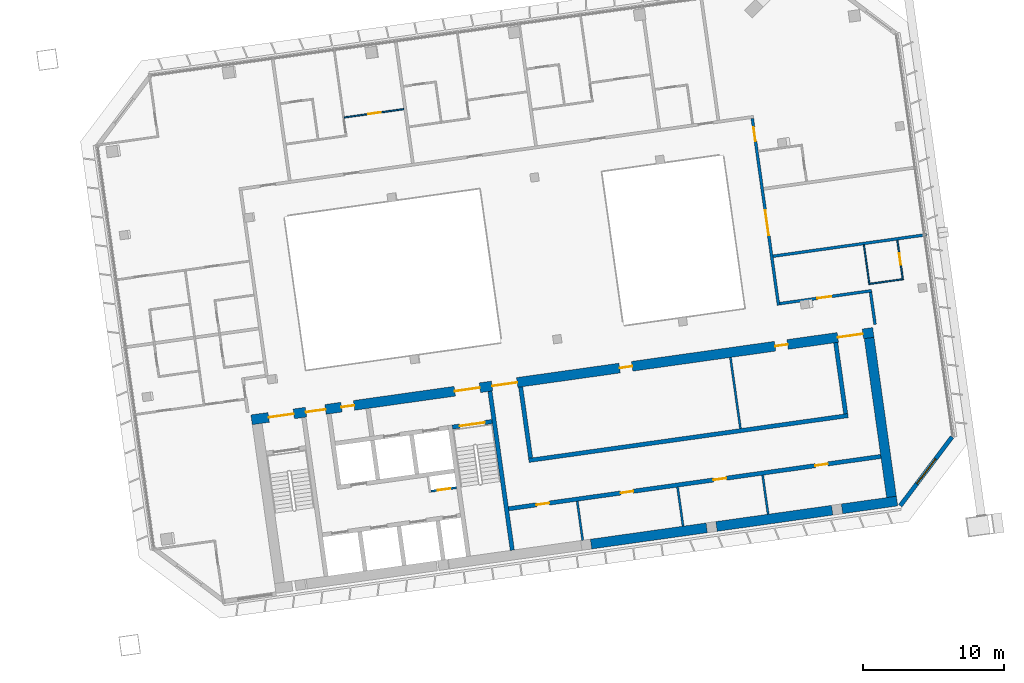
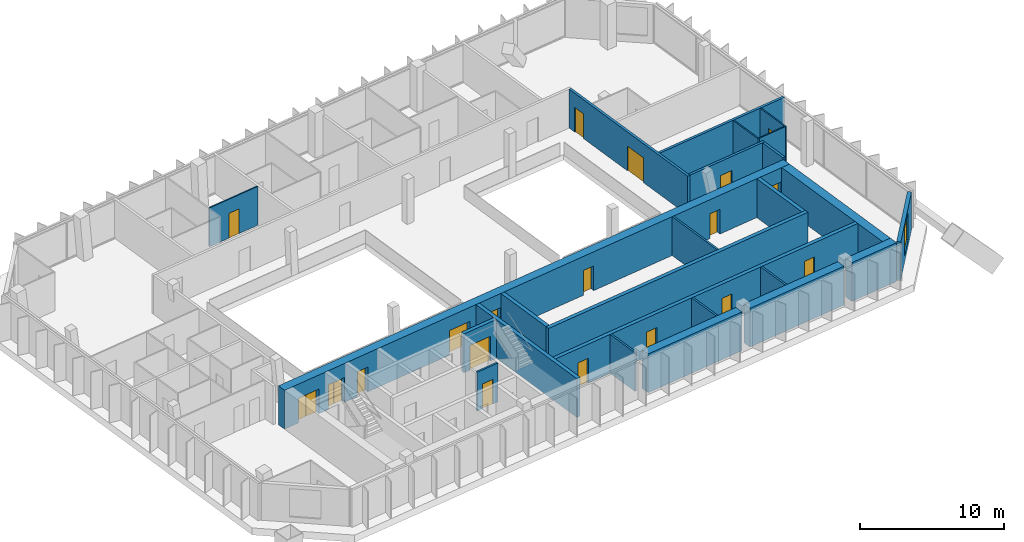
# One storey, part 21 of 29: 25 walls, 19 doors, 1 window, 20 openings.
"""IFC4 building model written with IfcOpenShell, lengths in metres."""

from ifc_helpers import new_model, si_unit, direction, frame, frame_2d, origin, place, context, subcontext, project, spatial, rectangle, extrude, material, layer, layer_set, type_object, element, fill, save


model = new_model("IFC4")

# Units and contexts
model_context = context("Model", 3, precision=1e-05, world=origin(), true_north=direction((0.0, 1.0)))
body_context = subcontext(model_context, "Body", "Model", "MODEL_VIEW")
ifc_project = project(units=[si_unit("LENGTHUNIT", "METRE"), si_unit("AREAUNIT", "SQUARE_METRE"), si_unit("VOLUMEUNIT", "CUBIC_METRE"), si_unit("PLANEANGLEUNIT", "RADIAN"), si_unit("MASSUNIT", "GRAM", prefix="KILO")], contexts=[model_context])

# Site, building, storey
site_placement = place(None, origin())
site = spatial("IfcSite", under=ifc_project, at=site_placement, CompositionType="ELEMENT")
building_placement = place(site_placement, origin())
building = spatial("IfcBuilding", under=site, at=building_placement, Name="Mirante Cascada Hotel Towers", CompositionType="ELEMENT")
storey_placement = place(building_placement, frame((0.0, 0.0, 206.8)))
storey = spatial("IfcBuildingStorey", under=building, at=storey_placement, Name="L49", CompositionType="ELEMENT", Elevation=206.8)

# Wall, opening, door
ifc_material_1 = material(Name="Fire-rated plasterboard on metal studs")
ifc_layer_1 = layer(ifc_material_1, 0.2)
ifc_layer_set_1 = layer_set([ifc_layer_1], Name="Compartment wall 200 EI 120")
wall_type_1 = type_object("IfcWallType", Name="Compartment wall 200 EI 120", PredefinedType="PARTITIONING", material=ifc_layer_set_1)
wall_1_placement = place(storey_placement, frame((73.0547, 0.6175, 0.0), z_axis=(0.0, 0.0, 1.0), x_axis=(0.990267, 0.139181, 0.0)))
wall_1 = element("IfcWall", 1, at=wall_1_placement, inside=storey, type_object=wall_type_1, Name="Wall 2-L49-04", PredefinedType="PARTITIONING", context=body_context, shape_type="SweptSolid", body=[
    extrude(rectangle(XDim=6.6, YDim=0.2, at=frame_2d((3.3, 0.0))), origin(), (0.0, 0.0, 1.0), 3.3),
])
opening_1_placement = place(wall_1_placement, frame((2.7, 0.0, 0.0)))
opening_1 = element("IfcOpeningElement", 2, at=opening_1_placement, cuts=wall_1, Name="Opening D2-L49-04", PredefinedType="OPENING", context=body_context, shape_type="SweptSolid", body=[
    extrude(rectangle(XDim=1.0, YDim=2.1, at=frame_2d((0.5, 1.05))), frame((0.0, 0.1, 0.0), z_axis=(0.0, -1.0, 0.0), x_axis=(1.0, 0.0, 0.0)), (0.0, 0.0, 1.0), 0.2),
])
ifc_material_2 = material(Name="Fire-rated timber door leaf", Category="wood")
door_type_1 = type_object("IfcDoorType", Name="Entrance door DG1 1000x2100 EI 60", OperationType="SINGLE_SWING_LEFT", PredefinedType="DOOR", material=ifc_material_2)
door_1_placement = place(opening_1_placement, frame((1.0, 0.0, 0.0), z_axis=(0.0, 0.0, 1.0), x_axis=(-1.0, 0.0, 0.0)))
door_1 = element("IfcDoor", 3, at=door_1_placement, inside=storey, type_object=door_type_1, Name="Door D2-L49-04", OperationType="SINGLE_SWING_RIGHT", OverallHeight=2.1, OverallWidth=1.0, PredefinedType="DOOR", context=body_context, shape_type="SweptSolid", body=[
    extrude(rectangle(XDim=1.0, YDim=2.1, at=frame_2d((0.5, 1.05))), frame((0.0, 0.025, 0.0), z_axis=(0.0, -1.0, 0.0), x_axis=(1.0, 0.0, 0.0)), (0.0, 0.0, 1.0), 0.05),
])
fill(opening_1, door_1)

# Wall
wall_2_placement = place(storey_placement, frame((83.4745, 5.5153, 0.0), z_axis=(0.0, 0.0, 1.0), x_axis=(-0.9902682, -0.1391721, 0.0)))
element("IfcWall", 4, at=wall_2_placement, inside=storey, type_object=wall_type_1, Name="Wall 2-L49-09", PredefinedType="PARTITIONING", context=body_context, shape_type="SweptSolid", body=[
    extrude(rectangle(XDim=11.0001, YDim=0.2, at=frame_2d((5.5, 0.0))), origin(), (0.0, 0.0, 1.0), 3.3),
])

# Wall, openings, doors
wall_3_placement = place(storey_placement, frame((72.9696, 0.5046, 0.0), z_axis=(0.0, 0.0, 1.0), x_axis=(-0.1391716, 0.9902683, 0.0)))
wall_3 = element("IfcWall", 5, at=wall_3_placement, inside=storey, type_object=wall_type_1, Name="Wall 2-L49-46", PredefinedType="PARTITIONING", context=body_context, shape_type="SweptSolid", body=[
    extrude(rectangle(XDim=13.4, YDim=0.2, at=frame_2d((6.7, 0.0))), origin(), (0.0, 0.0, 1.0), 3.3),
])
opening_2_placement = place(wall_3_placement, frame((5.0167, 0.0, 0.0)))
opening_2 = element("IfcOpeningElement", 6, at=opening_2_placement, cuts=wall_3, Name="Opening D2-L49-29", PredefinedType="OPENING", context=body_context, shape_type="SweptSolid", body=[
    extrude(rectangle(XDim=1.8, YDim=2.1, at=frame_2d((0.9, 1.05))), frame((0.0, 0.1, 0.0), z_axis=(0.0, -1.0, 0.0), x_axis=(1.0, 0.0, 0.0)), (0.0, 0.0, 1.0), 0.2),
])
opening_3_placement = place(wall_3_placement, frame((11.7667, 0.0, 0.0)))
opening_3 = element("IfcOpeningElement", 7, at=opening_3_placement, cuts=wall_3, Name="Opening D2-L49-30", PredefinedType="OPENING", context=body_context, shape_type="SweptSolid", body=[
    extrude(rectangle(XDim=1.0, YDim=2.1, at=frame_2d((0.5, 1.05))), frame((0.0, 0.1, 0.0), z_axis=(0.0, -1.0, 0.0), x_axis=(1.0, 0.0, 0.0)), (0.0, 0.0, 1.0), 0.2),
])
door_2_placement = place(opening_3_placement, frame((1.0, 0.0, 0.0), z_axis=(0.0, 0.0, 1.0), x_axis=(-1.0, 0.0, 0.0)))
door_2 = element("IfcDoor", 8, at=door_2_placement, inside=storey, type_object=door_type_1, Name="Door D2-L49-30", OperationType="SINGLE_SWING_RIGHT", OverallHeight=2.1, OverallWidth=1.0, PredefinedType="DOOR", context=body_context, shape_type="SweptSolid", body=[
    extrude(rectangle(XDim=1.0, YDim=2.1, at=frame_2d((0.5, 1.05))), frame((0.0, 0.025, 0.0), z_axis=(0.0, -1.0, 0.0), x_axis=(1.0, 0.0, 0.0)), (0.0, 0.0, 1.0), 0.05),
])
fill(opening_3, door_2)
ifc_material_3 = material(Name="Fire-rated timber door leaf", Category="wood")
door_type_2 = type_object("IfcDoorType", Name="Suite double door DG2 1800x2100 EI 60", OperationType="DOUBLE_DOOR_SINGLE_SWING", PredefinedType="DOOR", material=ifc_material_3)
door_3_placement = place(opening_2_placement, origin())
door_3 = element("IfcDoor", 9, at=door_3_placement, inside=storey, type_object=door_type_2, Name="Door D2-L49-29", OperationType="DOUBLE_DOOR_SINGLE_SWING", OverallHeight=2.1, OverallWidth=1.8, PredefinedType="DOOR", context=body_context, shape_type="SweptSolid", body=[
    extrude(rectangle(XDim=0.895, YDim=2.1, at=frame_2d((0.4475, 1.05))), frame((0.0, 0.025, 0.0), z_axis=(0.0, -1.0, 0.0), x_axis=(1.0, 0.0, 0.0)), (0.0, 0.0, 1.0), 0.05),
    extrude(rectangle(XDim=0.895, YDim=2.1, at=frame_2d((1.3525, 1.05))), frame((0.0, 0.025, 0.0), z_axis=(0.0, -1.0, 0.0), x_axis=(1.0, 0.0, 0.0)), (0.0, 0.0, 1.0), 0.05),
])
fill(opening_2, door_3)

# Wall
wall_4_placement = place(storey_placement, frame((79.8255, -0.8545, 0.0), z_axis=(0.0, 0.0, 1.0), x_axis=(-0.1391749, 0.9902678, 0.0)))
element("IfcWall", 10, at=wall_4_placement, inside=storey, type_object=wall_type_1, Name="Wall 2-L49-48", PredefinedType="PARTITIONING", context=body_context, shape_type="SweptSolid", body=[
    extrude(rectangle(XDim=2.3, YDim=0.2, at=frame_2d((1.15, 0.0))), origin(), (0.0, 0.0, 1.0), 3.3),
])

# Wall, opening, door
ifc_material_4 = material(Name="Masonry block", Category="masonry")
ifc_layer_2 = layer(ifc_material_4, 0.15)
ifc_layer_set_2 = layer_set([ifc_layer_2], Name="Core room partition 150 block EI 30")
wall_type_2 = type_object("IfcWallType", Name="Core room partition 150 block EI 30", PredefinedType="PARTITIONING", material=ifc_layer_set_2)
wall_5_placement = place(storey_placement, frame((48.2933, -12.7083, 0.0), z_axis=(0.0, 0.0, 1.0), x_axis=(0.990268, 0.1391734, 0.0)))
wall_5 = element("IfcWall", 11, at=wall_5_placement, inside=storey, type_object=wall_type_2, Name="Core wall partition T2 L49 3", PredefinedType="PARTITIONING", context=body_context, shape_type="SweptSolid", body=[
    extrude(rectangle(XDim=1.8251, YDim=0.15, at=frame_2d((0.9126, 0.0))), origin(), (0.0, 0.0, 1.0), 3.3),
])
opening_4_placement = place(wall_5_placement, frame((0.4625, 0.0, 0.0)))
opening_4 = element("IfcOpeningElement", 12, at=opening_4_placement, cuts=wall_5, Name="Opening D2-49-C15", PredefinedType="OPENING", context=body_context, shape_type="SweptSolid", body=[
    extrude(rectangle(XDim=0.9, YDim=2.1, at=frame_2d((0.45, 1.05))), frame((0.0, 0.075, 0.0), z_axis=(0.0, -1.0, 0.0), x_axis=(1.0, 0.0, 0.0)), (0.0, 0.0, 1.0), 0.15),
])
ifc_material_5 = material(Name="Hollow metal fire door leaf")
door_type_3 = type_object("IfcDoorType", Name="Fire door 900x2100 FD60", OperationType="NOTDEFINED", PredefinedType="DOOR", material=ifc_material_5)
door_4_placement = place(opening_4_placement, frame((0.9, 0.0, 0.0), z_axis=(0.0, 0.0, 1.0), x_axis=(-1.0, 0.0, 0.0)))
door_4 = element("IfcDoor", 13, at=door_4_placement, inside=storey, type_object=door_type_3, Name="Riser door T2 L49 15", OperationType="SINGLE_SWING_RIGHT", OverallHeight=2.1, OverallWidth=0.9, PredefinedType="DOOR", context=body_context, shape_type="SweptSolid", body=[
    extrude(rectangle(XDim=0.9, YDim=2.1, at=frame_2d((0.45, 1.05))), frame((0.0, 0.025, 0.0), z_axis=(0.0, -1.0, 0.0), x_axis=(1.0, 0.0, 0.0)), (0.0, 0.0, 1.0), 0.05),
])
fill(opening_4, door_4)

# Walls
for number, where, z_axis, x_axis, name in (
    (14, (59.0582, -16.194, 0.0), (0.0, 0.0, 1.0), (-0.139181, 0.990267, 0.0), "Core wall partition T2 L49 5"),
    (15, (66.1881, -15.192, 0.0), (0.0, 0.0, 1.0), (-0.139141, 0.9902726, 0.0), "Core wall partition T2 L49 6"),
    (16, (72.2288, -14.343, 0.0), (0.0, 0.0, 1.0), (-0.139181, 0.990267, 0.0), "Core wall partition T2 L49 7"),
):
    element("IfcWall", number, at=place(storey_placement, frame(where, z_axis=z_axis, x_axis=x_axis)), inside=storey, type_object=wall_type_2, Name=name, PredefinedType="PARTITIONING", context=body_context, shape_type="SweptSolid", body=[
        extrude(rectangle(XDim=2.8, YDim=0.15, at=frame_2d((1.4, 0.0))), origin(), (0.0, 0.0, 1.0), 3.3),
    ])
wall_6_placement = place(storey_placement, frame((70.2627, -8.2574, 0.0), z_axis=(0.0, 0.0, 1.0), x_axis=(-0.1391755, 0.9902677, 0.0)))
element("IfcWall", 17, at=wall_6_placement, inside=storey, type_object=wall_type_2, Name="Core wall partition T2 L49 8", PredefinedType="PARTITIONING", context=body_context, shape_type="SweptSolid", body=[
    extrude(rectangle(XDim=5.1, YDim=0.15, at=frame_2d((2.55, 0.0))), origin(), (0.0, 0.0, 1.0), 3.3),
])

# Wall, openings, doors
ifc_material_6 = material(Name="Masonry block", Category="masonry")
ifc_layer_3 = layer(ifc_material_6, 0.3)
ifc_layer_set_3 = layer_set([ifc_layer_3], Name="Core wall 300 block EI 120")
wall_type_3 = type_object("IfcWallType", Name="Core wall 300 block EI 120", PredefinedType="PARTITIONING", material=ifc_layer_set_3)
wall_7_placement = place(storey_placement, frame((53.7953, -13.9547, 0.0), z_axis=(0.0, 0.0, 1.0), x_axis=(0.9902677, 0.1391758, 0.0)))
wall_7 = element("IfcWall", 18, at=wall_7_placement, inside=storey, type_object=wall_type_3, Name="Core wall partition T2 L49 4", PredefinedType="PARTITIONING", context=body_context, shape_type="SweptSolid", body=[
    extrude(rectangle(XDim=26.7001, YDim=0.3, at=frame_2d((13.35, 0.0))), origin(), (0.0, 0.0, 1.0), 3.3),
])
opening_5_placement = place(wall_7_placement, frame((2.0, 0.0, 0.0)))
opening_5 = element("IfcOpeningElement", 19, at=opening_5_placement, cuts=wall_7, Name="Opening D2-49-C17", PredefinedType="OPENING", context=body_context, shape_type="SweptSolid", body=[
    extrude(rectangle(XDim=0.9, YDim=2.1, at=frame_2d((0.45, 1.05))), frame((0.0, 0.15, 0.0), z_axis=(0.0, -1.0, 0.0), x_axis=(1.0, 0.0, 0.0)), (0.0, 0.0, 1.0), 0.3),
])
opening_6_placement = place(wall_7_placement, frame((8.05, 0.0, 0.0)))
opening_6 = element("IfcOpeningElement", 20, at=opening_6_placement, cuts=wall_7, Name="Opening D2-49-C18", PredefinedType="OPENING", context=body_context, shape_type="SweptSolid", body=[
    extrude(rectangle(XDim=0.9, YDim=2.1, at=frame_2d((0.45, 1.05))), frame((0.0, 0.15, 0.0), z_axis=(0.0, -1.0, 0.0), x_axis=(1.0, 0.0, 0.0)), (0.0, 0.0, 1.0), 0.3),
])
opening_7_placement = place(wall_7_placement, frame((14.7, 0.0, 0.0)))
opening_7 = element("IfcOpeningElement", 21, at=opening_7_placement, cuts=wall_7, Name="Opening D2-49-C19", PredefinedType="OPENING", context=body_context, shape_type="SweptSolid", body=[
    extrude(rectangle(XDim=0.9, YDim=2.1, at=frame_2d((0.45, 1.05))), frame((0.0, 0.15, 0.0), z_axis=(0.0, -1.0, 0.0), x_axis=(1.0, 0.0, 0.0)), (0.0, 0.0, 1.0), 0.3),
])
opening_8_placement = place(wall_7_placement, frame((22.0, 0.0, 0.0)))
opening_8 = element("IfcOpeningElement", 22, at=opening_8_placement, cuts=wall_7, Name="Opening D2-49-C20", PredefinedType="OPENING", context=body_context, shape_type="SweptSolid", body=[
    extrude(rectangle(XDim=0.9, YDim=2.1, at=frame_2d((0.45, 1.05))), frame((0.0, 0.15, 0.0), z_axis=(0.0, -1.0, 0.0), x_axis=(1.0, 0.0, 0.0)), (0.0, 0.0, 1.0), 0.3),
])
door_5_placement = place(opening_5_placement, frame((0.9, 0.0, 0.0), z_axis=(0.0, 0.0, 1.0), x_axis=(-1.0, 0.0, 0.0)))
door_5 = element("IfcDoor", 23, at=door_5_placement, inside=storey, type_object=door_type_3, Name="Room door T2 L49 17", OperationType="SINGLE_SWING_LEFT", OverallHeight=2.1, OverallWidth=0.9, PredefinedType="DOOR", context=body_context, shape_type="SweptSolid", body=[
    extrude(rectangle(XDim=0.9, YDim=2.1, at=frame_2d((0.45, 1.05))), frame((0.0, 0.025, 0.0), z_axis=(0.0, -1.0, 0.0), x_axis=(1.0, 0.0, 0.0)), (0.0, 0.0, 1.0), 0.05),
])
fill(opening_5, door_5)
door_6_placement = place(opening_6_placement, frame((0.9, 0.0, 0.0), z_axis=(0.0, 0.0, 1.0), x_axis=(-1.0, 0.0, 0.0)))
door_6 = element("IfcDoor", 24, at=door_6_placement, inside=storey, type_object=door_type_3, Name="Room door T2 L49 18", OperationType="SINGLE_SWING_LEFT", OverallHeight=2.1, OverallWidth=0.9, PredefinedType="DOOR", context=body_context, shape_type="SweptSolid", body=[
    extrude(rectangle(XDim=0.9, YDim=2.1, at=frame_2d((0.45, 1.05))), frame((0.0, 0.025, 0.0), z_axis=(0.0, -1.0, 0.0), x_axis=(1.0, 0.0, 0.0)), (0.0, 0.0, 1.0), 0.05),
])
fill(opening_6, door_6)
door_7_placement = place(opening_7_placement, frame((0.9, 0.0, 0.0), z_axis=(0.0, 0.0, 1.0), x_axis=(-1.0, 0.0, 0.0)))
door_7 = element("IfcDoor", 25, at=door_7_placement, inside=storey, type_object=door_type_3, Name="Room door T2 L49 19", OperationType="SINGLE_SWING_RIGHT", OverallHeight=2.1, OverallWidth=0.9, PredefinedType="DOOR", context=body_context, shape_type="SweptSolid", body=[
    extrude(rectangle(XDim=0.9, YDim=2.1, at=frame_2d((0.45, 1.05))), frame((0.0, 0.025, 0.0), z_axis=(0.0, -1.0, 0.0), x_axis=(1.0, 0.0, 0.0)), (0.0, 0.0, 1.0), 0.05),
])
fill(opening_7, door_7)
door_8_placement = place(opening_8_placement, frame((0.9, 0.0, 0.0), z_axis=(0.0, 0.0, 1.0), x_axis=(-1.0, 0.0, 0.0)))
door_8 = element("IfcDoor", 26, at=door_8_placement, inside=storey, type_object=door_type_3, Name="Room door T2 L49 20", OperationType="SINGLE_SWING_RIGHT", OverallHeight=2.1, OverallWidth=0.9, PredefinedType="DOOR", context=body_context, shape_type="SweptSolid", body=[
    extrude(rectangle(XDim=0.9, YDim=2.1, at=frame_2d((0.45, 1.05))), frame((0.0, 0.025, 0.0), z_axis=(0.0, -1.0, 0.0), x_axis=(1.0, 0.0, 0.0)), (0.0, 0.0, 1.0), 0.05),
])
fill(opening_8, door_8)

# Wall
ifc_material_7 = material(Name="Plasterboard on metal studs")
ifc_layer_4 = layer(ifc_material_7, 0.1)
ifc_layer_set_4 = layer_set([ifc_layer_4], Name="Partition 100")
wall_type_4 = type_object("IfcWallType", Name="Partition 100", PredefinedType="PARTITIONING", material=ifc_layer_set_4)
wall_8_placement = place(storey_placement, frame((81.749, 2.3443, 0.0), z_axis=(0.0, 0.0, 1.0), x_axis=(-0.9902678, -0.1391749, 0.0)))
element("IfcWall", 27, at=wall_8_placement, inside=storey, type_object=wall_type_4, Name="Wall 2-L49-05", PredefinedType="PARTITIONING", context=body_context, shape_type="SweptSolid", body=[
    extrude(rectangle(XDim=2.3, YDim=0.1, at=frame_2d((1.15, 0.0))), origin(), (0.0, 0.0, 1.0), 3.3),
])

# Wall, opening, door
wall_9_placement = place(storey_placement, frame((42.1274, 13.842, 0.0), z_axis=(0.0, 0.0, 1.0), x_axis=(0.9902699, 0.1391604, 0.0)))
wall_9 = element("IfcWall", 28, at=wall_9_placement, inside=storey, type_object=wall_type_4, Name="Wall 2-L49-20", PredefinedType="PARTITIONING", context=body_context, shape_type="SweptSolid", body=[
    extrude(rectangle(XDim=4.267, YDim=0.1, at=frame_2d((2.1335, 0.0))), origin(), (0.0, 0.0, 1.0), 3.3),
])
opening_9_placement = place(wall_9_placement, frame((1.7085, 0.0, 0.0)))
opening_9 = element("IfcOpeningElement", 29, at=opening_9_placement, cuts=wall_9, Name="Opening D2-L49-13", PredefinedType="OPENING", context=body_context, shape_type="SweptSolid", body=[
    extrude(rectangle(XDim=0.9, YDim=2.1, at=frame_2d((0.45, 1.05))), frame((0.0, 0.05, 0.0), z_axis=(0.0, -1.0, 0.0), x_axis=(1.0, 0.0, 0.0)), (0.0, 0.0, 1.0), 0.1),
])
ifc_material_8 = material(Name="Timber door leaf", Category="wood")
door_type_4 = type_object("IfcDoorType", Name="Room door DG3 900x2100", OperationType="SINGLE_SWING_LEFT", PredefinedType="DOOR", material=ifc_material_8)
door_9_placement = place(opening_9_placement, frame((0.9, 0.0, 0.0), z_axis=(0.0, 0.0, 1.0), x_axis=(-1.0, 0.0, 0.0)))
door_9 = element("IfcDoor", 30, at=door_9_placement, inside=storey, type_object=door_type_4, Name="Door D2-L49-13", OperationType="SINGLE_SWING_RIGHT", OverallHeight=2.1, OverallWidth=0.9, PredefinedType="DOOR", context=body_context, shape_type="SweptSolid", body=[
    extrude(rectangle(XDim=0.9, YDim=2.1, at=frame_2d((0.45, 1.05))), frame((0.0, 0.025, 0.0), z_axis=(0.0, -1.0, 0.0), x_axis=(1.0, 0.0, 0.0)), (0.0, 0.0, 1.0), 0.05),
])
fill(opening_9, door_9)

# Wall
wall_10_placement = place(storey_placement, frame((79.0322, 4.79, 0.0), z_axis=(0.0, 0.0, 1.0), x_axis=(0.1391613, -0.9902697, 0.0)))
element("IfcWall", 31, at=wall_10_placement, inside=storey, type_object=wall_type_4, Name="Wall 2-L49-49", PredefinedType="PARTITIONING", context=body_context, shape_type="SweptSolid", body=[
    extrude(rectangle(XDim=2.8499, YDim=0.1, at=frame_2d((1.425, 0.0))), origin(), (0.0, 0.0, 1.0), 3.3),
])

# Wall, opening, door
wall_11_placement = place(storey_placement, frame((81.8055, 2.3018, 0.0), z_axis=(0.0, 0.0, 1.0), x_axis=(-0.1391909, 0.9902656, 0.0)))
wall_11 = element("IfcWall", 32, at=wall_11_placement, inside=storey, type_object=wall_type_4, Name="Wall 2-L49-50", PredefinedType="PARTITIONING", context=body_context, shape_type="SweptSolid", body=[
    extrude(rectangle(XDim=2.85, YDim=0.1, at=frame_2d((1.425, 0.0))), origin(), (0.0, 0.0, 1.0), 3.3),
])
opening_10_placement = place(wall_11_placement, frame((1.1, 0.0, 0.0)))
opening_10 = element("IfcOpeningElement", 33, at=opening_10_placement, cuts=wall_11, Name="Opening D2-L49-32", PredefinedType="OPENING", context=body_context, shape_type="SweptSolid", body=[
    extrude(rectangle(XDim=0.8, YDim=2.1, at=frame_2d((0.4, 1.05))), frame((0.0, 0.05, 0.0), z_axis=(0.0, -1.0, 0.0), x_axis=(1.0, 0.0, 0.0)), (0.0, 0.0, 1.0), 0.1),
])
ifc_material_9 = material(Name="Timber door leaf", Category="wood")
door_type_5 = type_object("IfcDoorType", Name="Bathroom door DG4 800x2100", OperationType="SINGLE_SWING_LEFT", PredefinedType="DOOR", material=ifc_material_9)
door_10_placement = place(opening_10_placement, origin())
door_10 = element("IfcDoor", 34, at=door_10_placement, inside=storey, type_object=door_type_5, Name="Door D2-L49-32", OperationType="SINGLE_SWING_LEFT", OverallHeight=2.1, OverallWidth=0.8, PredefinedType="DOOR", context=body_context, shape_type="SweptSolid", body=[
    extrude(rectangle(XDim=0.8, YDim=2.1, at=frame_2d((0.4, 1.05))), frame((0.0, 0.025, 0.0), z_axis=(0.0, -1.0, 0.0), x_axis=(1.0, 0.0, 0.0)), (0.0, 0.0, 1.0), 0.05),
])
fill(opening_10, door_10)

# Wall, opening, window
ifc_material_10 = material(Name="Precast concrete C40/50", Category="concrete")
ifc_layer_5 = layer(ifc_material_10, 0.3)
ifc_layer_set_5 = layer_set([ifc_layer_5], Name="Precast concrete C40/50 cladding wall 300")
wall_type_5 = type_object("IfcWallType", Name="Precast concrete C40/50 cladding wall 300", PredefinedType="STANDARD", material=ifc_layer_set_5)
wall_12_placement = place(storey_placement, frame((81.6175, -13.7366, 0.0), z_axis=(0.0, 0.0, 1.0), x_axis=(0.6018141, 0.7986362, 0.0)))
wall_12 = element("IfcWall", 35, at=wall_12_placement, inside=storey, type_object=wall_type_5, Name="Corner cladding wall T2 L49 rear outer", PredefinedType="STANDARD", context=body_context, shape_type="SweptSolid", body=[
    extrude(rectangle(XDim=6.1157, YDim=0.3, at=frame_2d((3.0578, 0.0))), origin(), (0.0, 0.0, 1.0), 3.3),
])
opening_11_placement = place(wall_12_placement, frame((1.9578, 0.0, 0.6)))
opening_11 = element("IfcOpeningElement", 36, at=opening_11_placement, cuts=wall_12, Name="Opening W2-49-02", PredefinedType="OPENING", context=body_context, shape_type="SweptSolid", body=[
    extrude(rectangle(XDim=2.2, YDim=2.4, at=frame_2d((1.1, 1.2))), frame((0.0, 0.15, 0.0), z_axis=(0.0, -1.0, 0.0), x_axis=(1.0, 0.0, 0.0)), (0.0, 0.0, 1.0), 0.3),
])
ifc_material_11 = material(Name="Aluminium frame with clear double glazing", Category="aluminium")
window_type = type_object("IfcWindowType", Name="Corner suite window 2200x2400", PartitioningType="DOUBLE_PANEL_VERTICAL", PredefinedType="WINDOW", material=ifc_material_11)
window_placement = place(opening_11_placement, origin())
window = element("IfcWindow", 37, at=window_placement, inside=storey, type_object=window_type, Name="Window W2-49-02", OverallHeight=2.4, OverallWidth=2.2, PartitioningType="SINGLE_PANEL", PredefinedType="WINDOW", context=body_context, shape_type="SweptSolid", body=[
    extrude(rectangle(XDim=2.2, YDim=2.4, at=frame_2d((1.1, 1.2))), frame((0.0, 0.03, 0.0), z_axis=(0.0, -1.0, 0.0), x_axis=(1.0, 0.0, 0.0)), (0.0, 0.0, 1.0), 0.06),
])
fill(opening_11, window)

# Wall
ifc_material_12 = material(Name="Concrete C50/60", Category="concrete")
ifc_layer_6 = layer(ifc_material_12, 0.3)
ifc_layer_set_6 = layer_set([ifc_layer_6], Name="RC core wall 300 C50/60")
wall_type_6 = type_object("IfcWallType", Name="RC core wall 300 C50/60", PredefinedType="SHEAR", material=ifc_layer_set_6)
wall_13_placement = place(storey_placement, frame((54.0574, -16.8968, 0.0), z_axis=(0.0, 0.0, 1.0), x_axis=(-0.1391761, 0.9902677, 0.0)))
element("IfcWall", 38, at=wall_13_placement, inside=storey, type_object=wall_type_6, Name="Core wall T2:L49:7", PredefinedType="SHEAR", context=body_context, shape_type="SweptSolid", body=[
    extrude(rectangle(XDim=11.3999, YDim=0.3, at=frame_2d((5.7, 0.0))), origin(), (0.0, 0.0, 1.0), 3.3),
])

# Wall, opening, door
wall_14_placement = place(storey_placement, frame((49.7992, -8.1544, 0.0), z_axis=(0.0, 0.0, 1.0), x_axis=(0.9902656, 0.1391909, 0.0)))
wall_14 = element("IfcWall", 39, at=wall_14_placement, inside=storey, type_object=wall_type_6, Name="Core wall T2:L49:9", PredefinedType="SHEAR", context=body_context, shape_type="SweptSolid", body=[
    extrude(rectangle(XDim=2.85, YDim=0.3, at=frame_2d((1.425, 0.0))), origin(), (0.0, 0.0, 1.0), 3.3),
])
opening_12_placement = place(wall_14_placement, frame((0.525, 0.0, 0.0)))
opening_12 = element("IfcOpeningElement", 40, at=opening_12_placement, cuts=wall_14, Name="Opening D2-49-C09", PredefinedType="OPENING", context=body_context, shape_type="SweptSolid", body=[
    extrude(rectangle(XDim=1.8, YDim=2.1, at=frame_2d((0.9, 1.05))), frame((0.0, 0.15, 0.0), z_axis=(0.0, -1.0, 0.0), x_axis=(1.0, 0.0, 0.0)), (0.0, 0.0, 1.0), 0.3),
])
ifc_material_13 = material(Name="Hollow metal fire door leaf")
door_type_6 = type_object("IfcDoorType", Name="Double fire door 1800x2100 FD60", OperationType="DOUBLE_DOOR_SINGLE_SWING", PredefinedType="DOOR", material=ifc_material_13)
door_11_placement = place(opening_12_placement, frame((1.8, 0.0, 0.0), z_axis=(0.0, 0.0, 1.0), x_axis=(-1.0, 0.0, 0.0)))
door_11 = element("IfcDoor", 41, at=door_11_placement, inside=storey, type_object=door_type_6, Name="Stair door T2 L49 9", OperationType="DOUBLE_DOOR_SINGLE_SWING", OverallHeight=2.1, OverallWidth=1.8, PredefinedType="DOOR", context=body_context, shape_type="SweptSolid", body=[
    extrude(rectangle(XDim=0.895, YDim=2.1, at=frame_2d((0.4475, 1.05))), frame((0.0, 0.025, 0.0), z_axis=(0.0, -1.0, 0.0), x_axis=(1.0, 0.0, 0.0)), (0.0, 0.0, 1.0), 0.05),
    extrude(rectangle(XDim=0.895, YDim=2.1, at=frame_2d((1.3525, 1.05))), frame((0.0, 0.025, 0.0), z_axis=(0.0, -1.0, 0.0), x_axis=(1.0, 0.0, 0.0)), (0.0, 0.0, 1.0), 0.05),
])
fill(opening_12, door_11)

# Walls
wall_15_placement = place(storey_placement, frame((55.2315, -10.5214, 0.0), z_axis=(0.0, 0.0, 1.0), x_axis=(0.9902678, 0.1391749, 0.0)))
element("IfcWall", 42, at=wall_15_placement, inside=storey, type_object=wall_type_6, Name="Core wall T2:L49:26", PredefinedType="SHEAR", context=body_context, shape_type="SweptSolid", body=[
    extrude(rectangle(XDim=22.9, YDim=0.3, at=frame_2d((11.45, 0.0))), origin(), (0.0, 0.0, 1.0), 3.3),
])
for number, where, z_axis, x_axis, name in (
    (43, (55.3592, -10.352, 0.0), (0.0, 0.0, 1.0), (-0.1391755, 0.9902677, 0.0), "Core wall T2:L49:27"),
    (44, (77.7392, -7.2067, 0.0), (0.0, 0.0, 1.0), (-0.1391755, 0.9902677, 0.0), "Core wall T2:L49:28"),
):
    element("IfcWall", number, at=place(storey_placement, frame(where, z_axis=z_axis, x_axis=x_axis)), inside=storey, type_object=wall_type_6, Name=name, PredefinedType="SHEAR", context=body_context, shape_type="SweptSolid", body=[
        extrude(rectangle(XDim=5.1, YDim=0.3, at=frame_2d((2.55, 0.0))), origin(), (0.0, 0.0, 1.0), 3.3),
    ])
ifc_material_14 = material(Name="Concrete C50/60", Category="concrete")
ifc_layer_7 = layer(ifc_material_14, 0.7)
ifc_layer_set_7 = layer_set([ifc_layer_7], Name="RC core wall 700 C50/60")
wall_type_7 = type_object("IfcWallType", Name="RC core wall 700 C50/60", PredefinedType="SHEAR", material=ifc_layer_set_7)
for number, where, z_axis, x_axis, name in (
    (45, (59.6516, -16.4641, 0.0), (0.0, 0.0, 1.0), (0.990267, 0.139181, 0.0), "Core wall T2:L49:1.4"),
    (46, (68.564, -15.2115, 0.0), (0.0, 0.0, 1.0), (0.9902686, 0.1391692, 0.0), "Core wall T2:L49:1.5"),
):
    element("IfcWall", number, at=place(storey_placement, frame(where, z_axis=z_axis, x_axis=x_axis)), inside=storey, type_object=wall_type_7, Name=name, PredefinedType="SHEAR", context=body_context, shape_type="SweptSolid", body=[
        extrude(rectangle(XDim=8.3, YDim=0.7, at=frame_2d((4.15, 0.0))), origin(), (0.0, 0.0, 1.0), 3.3),
    ])
wall_16_placement = place(storey_placement, frame((77.4764, -13.9589, 0.0), z_axis=(0.0, 0.0, 1.0), x_axis=(0.9902694, 0.1391633, 0.0)))
element("IfcWall", 47, at=wall_16_placement, inside=storey, type_object=wall_type_7, Name="Core wall T2:L49:1.6", PredefinedType="SHEAR", context=body_context, shape_type="SweptSolid", body=[
    extrude(rectangle(XDim=3.95, YDim=0.7, at=frame_2d((1.975, 0.0))), origin(), (0.0, 0.0, 1.0), 3.3),
])

# Wall, openings, doors
wall_17_placement = place(storey_placement, frame((35.538, -7.6341, 0.0), z_axis=(0.0, 0.0, 1.0), x_axis=(0.9902682, 0.1391725, 0.0)))
wall_17 = element("IfcWall", 48, at=wall_17_placement, inside=storey, type_object=wall_type_7, Name="Core wall T2:L49:2", PredefinedType="SHEAR", context=body_context, shape_type="SweptSolid", body=[
    extrude(rectangle(XDim=44.6, YDim=0.7, at=frame_2d((22.3, 0.0))), origin(), (0.0, 0.0, 1.0), 3.3),
])
opening_13_placement = place(wall_17_placement, frame((1.225, 0.0, 0.0)))
opening_13 = element("IfcOpeningElement", 49, at=opening_13_placement, cuts=wall_17, Name="Opening D2-49-C08", PredefinedType="OPENING", context=body_context, shape_type="SweptSolid", body=[
    extrude(rectangle(XDim=1.8, YDim=2.1, at=frame_2d((0.9, 1.05))), frame((0.0, 0.35, 0.0), z_axis=(0.0, -1.0, 0.0), x_axis=(1.0, 0.0, 0.0)), (0.0, 0.0, 1.0), 0.7),
])
opening_14_placement = place(wall_17_placement, frame((14.575, 0.0, 0.0)))
opening_14 = element("IfcOpeningElement", 50, at=opening_14_placement, cuts=wall_17, Name="Opening D2-49-C10", PredefinedType="OPENING", context=body_context, shape_type="SweptSolid", body=[
    extrude(rectangle(XDim=1.8, YDim=2.1, at=frame_2d((0.9, 1.05))), frame((0.0, 0.35, 0.0), z_axis=(0.0, -1.0, 0.0), x_axis=(1.0, 0.0, 0.0)), (0.0, 0.0, 1.0), 0.7),
])
opening_15_placement = place(wall_17_placement, frame((3.9, 0.0, 0.0)))
opening_15 = element("IfcOpeningElement", 51, at=opening_15_placement, cuts=wall_17, Name="Opening D2-49-C11", PredefinedType="OPENING", context=body_context, shape_type="SweptSolid", body=[
    extrude(rectangle(XDim=1.4, YDim=2.1, at=frame_2d((0.7, 1.05))), frame((0.0, 0.35, 0.0), z_axis=(0.0, -1.0, 0.0), x_axis=(1.0, 0.0, 0.0)), (0.0, 0.0, 1.0), 0.7),
])
opening_16_placement = place(wall_17_placement, frame((17.25, 0.0, 0.0)))
opening_16 = element("IfcOpeningElement", 52, at=opening_16_placement, cuts=wall_17, Name="Opening D2-49-C12", PredefinedType="OPENING", context=body_context, shape_type="SweptSolid", body=[
    extrude(rectangle(XDim=1.8, YDim=2.1, at=frame_2d((0.9, 1.05))), frame((0.0, 0.35, 0.0), z_axis=(0.0, -1.0, 0.0), x_axis=(1.0, 0.0, 0.0)), (0.0, 0.0, 1.0), 0.7),
])
opening_17_placement = place(wall_17_placement, frame((42.05, 0.0, 0.0)))
opening_17 = element("IfcOpeningElement", 53, at=opening_17_placement, cuts=wall_17, Name="Opening D2-49-C13", PredefinedType="OPENING", context=body_context, shape_type="SweptSolid", body=[
    extrude(rectangle(XDim=1.8, YDim=2.1, at=frame_2d((0.9, 1.05))), frame((0.0, 0.35, 0.0), z_axis=(0.0, -1.0, 0.0), x_axis=(1.0, 0.0, 0.0)), (0.0, 0.0, 1.0), 0.7),
])
opening_18_placement = place(wall_17_placement, frame((6.45, 0.0, 0.0)))
opening_18 = element("IfcOpeningElement", 54, at=opening_18_placement, cuts=wall_17, Name="Opening D2-49-C16", PredefinedType="OPENING", context=body_context, shape_type="SweptSolid", body=[
    extrude(rectangle(XDim=0.9, YDim=2.1, at=frame_2d((0.45, 1.05))), frame((0.0, 0.35, 0.0), z_axis=(0.0, -1.0, 0.0), x_axis=(1.0, 0.0, 0.0)), (0.0, 0.0, 1.0), 0.7),
])
opening_19_placement = place(wall_17_placement, frame((26.4, 0.0, 0.0)))
opening_19 = element("IfcOpeningElement", 55, at=opening_19_placement, cuts=wall_17, Name="Opening D2-49-C21", PredefinedType="OPENING", context=body_context, shape_type="SweptSolid", body=[
    extrude(rectangle(XDim=0.9, YDim=2.1, at=frame_2d((0.45, 1.05))), frame((0.0, 0.35, 0.0), z_axis=(0.0, -1.0, 0.0), x_axis=(1.0, 0.0, 0.0)), (0.0, 0.0, 1.0), 0.7),
])
opening_20_placement = place(wall_17_placement, frame((37.55, 0.0, 0.0)))
opening_20 = element("IfcOpeningElement", 56, at=opening_20_placement, cuts=wall_17, Name="Opening D2-49-C22", PredefinedType="OPENING", context=body_context, shape_type="SweptSolid", body=[
    extrude(rectangle(XDim=0.9, YDim=2.1, at=frame_2d((0.45, 1.05))), frame((0.0, 0.35, 0.0), z_axis=(0.0, -1.0, 0.0), x_axis=(1.0, 0.0, 0.0)), (0.0, 0.0, 1.0), 0.7),
])
ifc_material_15 = material(Name="Hollow metal fire door leaf")
door_type_7 = type_object("IfcDoorType", Name="Double fire door 1400x2100 FD60", OperationType="DOUBLE_DOOR_SINGLE_SWING", PredefinedType="DOOR", material=ifc_material_15)
door_12_placement = place(opening_15_placement, origin())
door_12 = element("IfcDoor", 57, at=door_12_placement, inside=storey, type_object=door_type_7, Name="Exit door to gallery T2 L49 11", OperationType="DOUBLE_DOOR_SINGLE_SWING", OverallHeight=2.1, OverallWidth=1.4, PredefinedType="DOOR", context=body_context, shape_type="SweptSolid", body=[
    extrude(rectangle(XDim=0.695, YDim=2.1, at=frame_2d((0.3475, 1.05))), frame((0.0, 0.025, 0.0), z_axis=(0.0, -1.0, 0.0), x_axis=(1.0, 0.0, 0.0)), (0.0, 0.0, 1.0), 0.05),
    extrude(rectangle(XDim=0.695, YDim=2.1, at=frame_2d((1.0525, 1.05))), frame((0.0, 0.025, 0.0), z_axis=(0.0, -1.0, 0.0), x_axis=(1.0, 0.0, 0.0)), (0.0, 0.0, 1.0), 0.05),
])
fill(opening_15, door_12)
door_13_placement = place(opening_13_placement, frame((1.8, 0.0, 0.0), z_axis=(0.0, 0.0, 1.0), x_axis=(-1.0, 0.0, 0.0)))
door_13 = element("IfcDoor", 58, at=door_13_placement, inside=storey, type_object=door_type_6, Name="Exit door to gallery T2 L49 8", OperationType="DOUBLE_DOOR_SINGLE_SWING", OverallHeight=2.1, OverallWidth=1.8, PredefinedType="DOOR", context=body_context, shape_type="SweptSolid", body=[
    extrude(rectangle(XDim=0.895, YDim=2.1, at=frame_2d((0.4475, 1.05))), frame((0.0, 0.025, 0.0), z_axis=(0.0, -1.0, 0.0), x_axis=(1.0, 0.0, 0.0)), (0.0, 0.0, 1.0), 0.05),
    extrude(rectangle(XDim=0.895, YDim=2.1, at=frame_2d((1.3525, 1.05))), frame((0.0, 0.025, 0.0), z_axis=(0.0, -1.0, 0.0), x_axis=(1.0, 0.0, 0.0)), (0.0, 0.0, 1.0), 0.05),
])
fill(opening_13, door_13)
door_14_placement = place(opening_14_placement, frame((1.8, 0.0, 0.0), z_axis=(0.0, 0.0, 1.0), x_axis=(-1.0, 0.0, 0.0)))
door_14 = element("IfcDoor", 59, at=door_14_placement, inside=storey, type_object=door_type_6, Name="Exit door to gallery T2 L49 10", OperationType="DOUBLE_DOOR_SINGLE_SWING", OverallHeight=2.1, OverallWidth=1.8, PredefinedType="DOOR", context=body_context, shape_type="SweptSolid", body=[
    extrude(rectangle(XDim=0.895, YDim=2.1, at=frame_2d((0.4475, 1.05))), frame((0.0, 0.025, 0.0), z_axis=(0.0, -1.0, 0.0), x_axis=(1.0, 0.0, 0.0)), (0.0, 0.0, 1.0), 0.05),
    extrude(rectangle(XDim=0.895, YDim=2.1, at=frame_2d((1.3525, 1.05))), frame((0.0, 0.025, 0.0), z_axis=(0.0, -1.0, 0.0), x_axis=(1.0, 0.0, 0.0)), (0.0, 0.0, 1.0), 0.05),
])
fill(opening_14, door_14)
door_15_placement = place(opening_16_placement, origin())
door_15 = element("IfcDoor", 60, at=door_15_placement, inside=storey, type_object=door_type_6, Name="Exit door to gallery T2 L49 12", OperationType="DOUBLE_DOOR_SINGLE_SWING", OverallHeight=2.1, OverallWidth=1.8, PredefinedType="DOOR", context=body_context, shape_type="SweptSolid", body=[
    extrude(rectangle(XDim=0.895, YDim=2.1, at=frame_2d((0.4475, 1.05))), frame((0.0, 0.025, 0.0), z_axis=(0.0, -1.0, 0.0), x_axis=(1.0, 0.0, 0.0)), (0.0, 0.0, 1.0), 0.05),
    extrude(rectangle(XDim=0.895, YDim=2.1, at=frame_2d((1.3525, 1.05))), frame((0.0, 0.025, 0.0), z_axis=(0.0, -1.0, 0.0), x_axis=(1.0, 0.0, 0.0)), (0.0, 0.0, 1.0), 0.05),
])
fill(opening_16, door_15)
door_16_placement = place(opening_17_placement, origin())
door_16 = element("IfcDoor", 61, at=door_16_placement, inside=storey, type_object=door_type_6, Name="Exit door to gallery T2 L49 13", OperationType="DOUBLE_DOOR_SINGLE_SWING", OverallHeight=2.1, OverallWidth=1.8, PredefinedType="DOOR", context=body_context, shape_type="SweptSolid", body=[
    extrude(rectangle(XDim=0.895, YDim=2.1, at=frame_2d((0.4475, 1.05))), frame((0.0, 0.025, 0.0), z_axis=(0.0, -1.0, 0.0), x_axis=(1.0, 0.0, 0.0)), (0.0, 0.0, 1.0), 0.05),
    extrude(rectangle(XDim=0.895, YDim=2.1, at=frame_2d((1.3525, 1.05))), frame((0.0, 0.025, 0.0), z_axis=(0.0, -1.0, 0.0), x_axis=(1.0, 0.0, 0.0)), (0.0, 0.0, 1.0), 0.05),
])
fill(opening_17, door_16)
door_17_placement = place(opening_18_placement, frame((0.9, 0.0, 0.0), z_axis=(0.0, 0.0, 1.0), x_axis=(-1.0, 0.0, 0.0)))
door_17 = element("IfcDoor", 62, at=door_17_placement, inside=storey, type_object=door_type_3, Name="Room door T2 L49 16", OperationType="SINGLE_SWING_LEFT", OverallHeight=2.1, OverallWidth=0.9, PredefinedType="DOOR", context=body_context, shape_type="SweptSolid", body=[
    extrude(rectangle(XDim=0.9, YDim=2.1, at=frame_2d((0.45, 1.05))), frame((0.0, 0.025, 0.0), z_axis=(0.0, -1.0, 0.0), x_axis=(1.0, 0.0, 0.0)), (0.0, 0.0, 1.0), 0.05),
])
fill(opening_18, door_17)
door_18_placement = place(opening_19_placement, frame((0.9, 0.0, 0.0), z_axis=(0.0, 0.0, 1.0), x_axis=(-1.0, 0.0, 0.0)))
door_18 = element("IfcDoor", 63, at=door_18_placement, inside=storey, type_object=door_type_3, Name="Room door T2 L49 21", OperationType="SINGLE_SWING_RIGHT", OverallHeight=2.1, OverallWidth=0.9, PredefinedType="DOOR", context=body_context, shape_type="SweptSolid", body=[
    extrude(rectangle(XDim=0.9, YDim=2.1, at=frame_2d((0.45, 1.05))), frame((0.0, 0.025, 0.0), z_axis=(0.0, -1.0, 0.0), x_axis=(1.0, 0.0, 0.0)), (0.0, 0.0, 1.0), 0.05),
])
fill(opening_19, door_18)
door_19_placement = place(opening_20_placement, frame((0.9, 0.0, 0.0), z_axis=(0.0, 0.0, 1.0), x_axis=(-1.0, 0.0, 0.0)))
door_19 = element("IfcDoor", 64, at=door_19_placement, inside=storey, type_object=door_type_3, Name="Room door T2 L49 22", OperationType="SINGLE_SWING_RIGHT", OverallHeight=2.1, OverallWidth=0.9, PredefinedType="DOOR", context=body_context, shape_type="SweptSolid", body=[
    extrude(rectangle(XDim=0.9, YDim=2.1, at=frame_2d((0.45, 1.05))), frame((0.0, 0.025, 0.0), z_axis=(0.0, -1.0, 0.0), x_axis=(1.0, 0.0, 0.0)), (0.0, 0.0, 1.0), 0.05),
])
fill(opening_20, door_19)

# Wall
wall_18_placement = place(storey_placement, frame((80.9927, -13.1113, 0.0), z_axis=(0.0, 0.0, 1.0), x_axis=(-0.1391761, 0.9902677, 0.0)))
element("IfcWall", 65, at=wall_18_placement, inside=storey, type_object=wall_type_7, Name="Core wall T2:L49:4", PredefinedType="SHEAR", context=body_context, shape_type="SweptSolid", body=[
    extrude(rectangle(XDim=11.3999, YDim=0.7, at=frame_2d((5.7, 0.0))), origin(), (0.0, 0.0, 1.0), 3.3),
])

save(model, "model.ifc")
